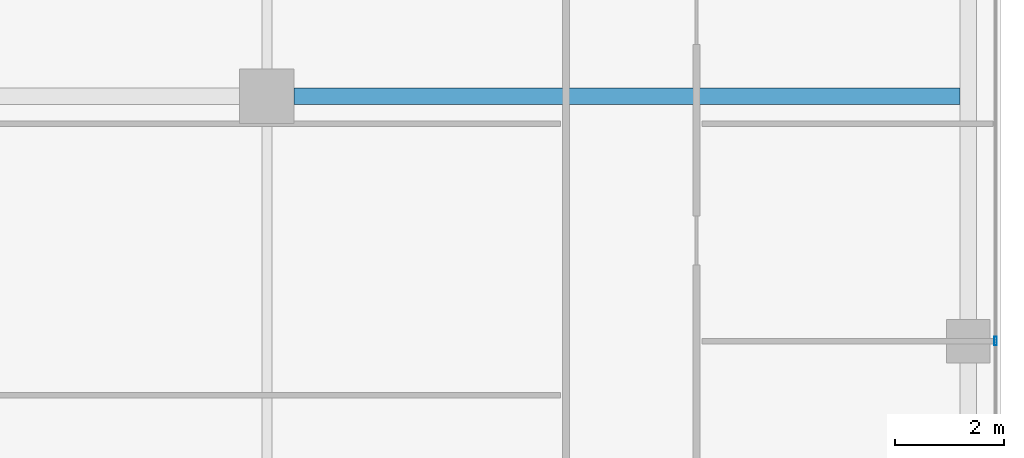
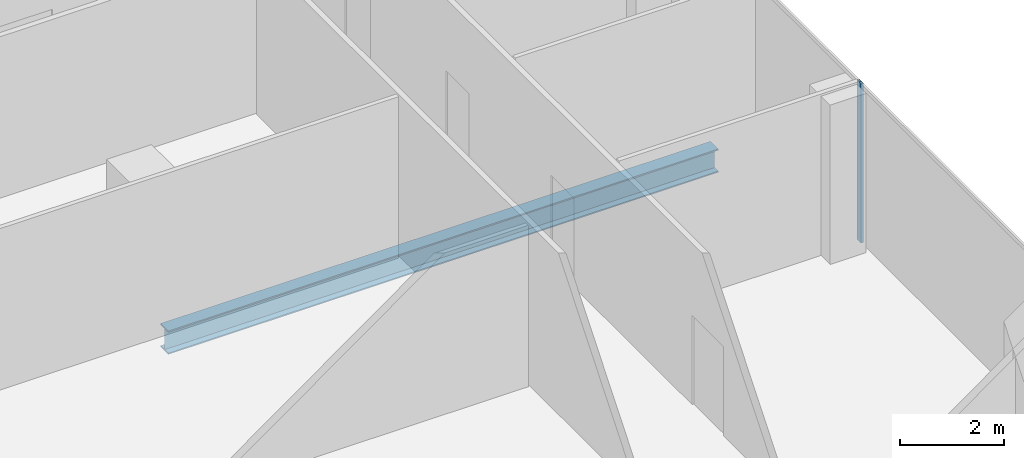
# One storey, part 11 of 29: 1 beam, 1 member, 1 element without a shape of its own.
"""IFC4 building model written with IfcOpenShell, lengths in metres."""

from ifc_helpers import new_model, si_unit, direction, frame, origin, origin_2d, place, context, subcontext, project, spatial, hollow_rectangle, i_section, extrude, source, transform, mapped, material, material_profile, profile_set, type_object, element, aggregate, save


model = new_model("IFC4")

# Units and contexts
model_context = context("Model", 3, precision=1e-05, world=origin(), true_north=direction((0.0, 1.0)))
body_context = subcontext(model_context, "Body", "Model", "MODEL_VIEW")
ifc_project = project(units=[si_unit("LENGTHUNIT", "METRE"), si_unit("AREAUNIT", "SQUARE_METRE"), si_unit("VOLUMEUNIT", "CUBIC_METRE"), si_unit("PLANEANGLEUNIT", "RADIAN"), si_unit("MASSUNIT", "GRAM", prefix="KILO")], contexts=[model_context])

# Site, building, storey
site_placement = place(None, origin())
site = spatial("IfcSite", under=ifc_project, at=site_placement, CompositionType="ELEMENT")
building_placement = place(site_placement, origin())
building = spatial("IfcBuilding", under=site, at=building_placement, Name="Khomas Fold Tower", CompositionType="ELEMENT")
storey_placement = place(building_placement, frame((0.0, 0.0, 310.199951171875)))
storey = spatial("IfcBuildingStorey", under=building, at=storey_placement, Name="L70", CompositionType="ELEMENT", Elevation=310.199951171875)

# Beam
ifc_material_1 = material(Name="Steel S355", Category="steel")
ifc_material_profile_1 = material_profile(ifc_material_1, i_section(OverallWidth=0.300048828125, OverallDepth=0.550048828125, WebThickness=0.014892578125, FlangeThickness=0.029052734375, at=origin_2d()), Name="HE 550 B")
ifc_profile_set_1 = profile_set([ifc_material_profile_1], Name="Steel S355")
beam_type = type_object("IfcBeamType", Name="HE 550 B beam GB4", PredefinedType="BEAM", material=ifc_profile_set_1)
shared_shape_1 = source(origin(), body_context, "Body", "SweptSolid", [
    extrude(i_section(OverallWidth=0.300048828125, OverallDepth=0.550048828125, WebThickness=0.014892578125, FlangeThickness=0.029052734375, at=origin_2d()), origin(), (0.0, 0.0, 1.0), 12.25),
])
beam_placement = place(storey_placement, frame((35.0, 31.5, -0.52490234375), z_axis=(1.0, 0.0, 0.0), x_axis=(0.0, 1.0, 0.0)))
element("IfcBeam", 1, at=beam_placement, inside=storey, type_object=beam_type, Name="GB4", PredefinedType="BEAM", context=body_context, shape_type="MappedRepresentation", body=[
    mapped(shared_shape_1, transform((0.0, 0.0, 0.0))),
])

# Curtain wall, member
ifc_material_2 = material(Name="Aluminium framed double glazing", Category="aluminium")
curtain_wall_type = type_object("IfcCurtainWallType", Name="SK-Unitised clear-glass wall, upper floors CW3", PredefinedType="NOTDEFINED", material=ifc_material_2)
curtain_wall_placement = place(storey_placement, origin())
curtain_wall = element("IfcCurtainWall", 2, at=curtain_wall_placement, inside=storey, type_object=curtain_wall_type, Name="CW3 run L70 03-0", PredefinedType="NOTDEFINED")
ifc_material_3 = material(Name="Aluminium", Category="aluminium")
ifc_material_profile_2 = material_profile(ifc_material_3, hollow_rectangle(XDim=0.050048828125, YDim=0.159912109375, WallThickness=0.00390625, at=origin_2d()), Name="SK-Unitised clear-glass wall, upper floors mullion CW3-M")
ifc_profile_set_2 = profile_set([ifc_material_profile_2], Name="Aluminium")
member_type = type_object("IfcMemberType", Name="SK-Unitised clear-glass wall, upper floors mullion CW3-M", PredefinedType="MULLION", material=ifc_profile_set_2)
shared_shape_2 = source(origin(), body_context, "Body", "SweptSolid", [
    extrude(hollow_rectangle(XDim=0.050048828125, YDim=0.159912109375, WallThickness=0.00390625, at=origin_2d()), origin(), (0.0, 0.0, 1.0), 3.75),
])
member_placement = place(storey_placement, frame((47.89990234375, 27.0, 0.0), z_axis=(0.0, 0.0, 1.0), x_axis=(-1.0, 0.0, 0.0)))
member = element("IfcMember", 3, at=member_placement, type_object=member_type, Name="CW3 mullion 4", PredefinedType="MULLION", context=body_context, shape_type="MappedRepresentation", body=[
    mapped(shared_shape_2, transform((0.0, 0.0, 0.0))),
])
aggregate(curtain_wall, [member])

save(model, "model.ifc")
